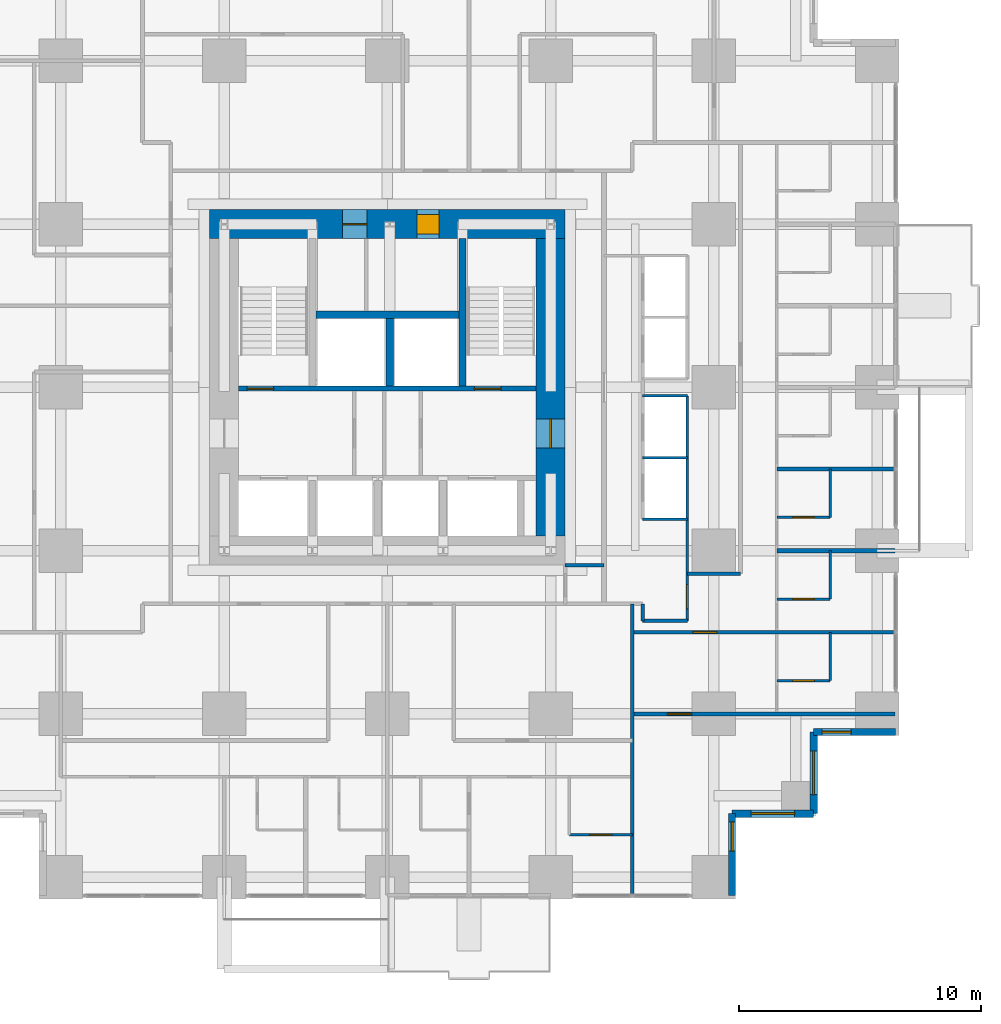
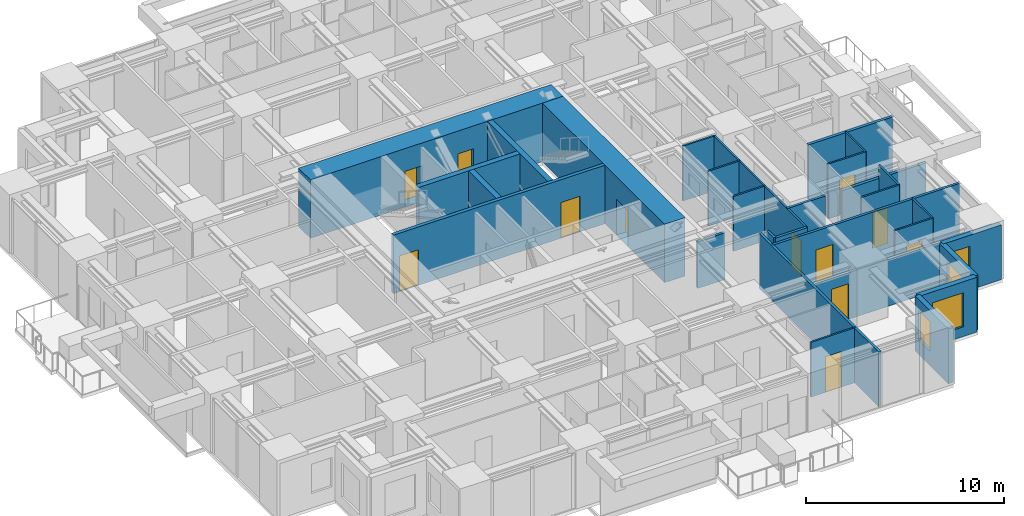
# One storey, part 10 of 14: 30 walls, 12 doors, 4 windows, 16 openings.
"""IFC4 building model written with IfcOpenShell, lengths in metres."""

from ifc_helpers import new_model, si_unit, direction, frame, frame_2d, origin, place, context, subcontext, project, spatial, rectangle, extrude, material, layer, layer_set, type_object, element, fill, save


model = new_model("IFC4")

# Units and contexts
model_context = context("Model", 3, precision=1e-05, world=origin(), true_north=direction((0.0, 1.0)))
body_context = subcontext(model_context, "Body", "Model", "MODEL_VIEW")
ifc_project = project(units=[si_unit("LENGTHUNIT", "METRE"), si_unit("AREAUNIT", "SQUARE_METRE"), si_unit("VOLUMEUNIT", "CUBIC_METRE"), si_unit("PLANEANGLEUNIT", "RADIAN"), si_unit("MASSUNIT", "GRAM", prefix="KILO")], contexts=[model_context])

# Site, building, storey
site_placement = place(None, origin())
site = spatial("IfcSite", under=ifc_project, at=site_placement, CompositionType="ELEMENT")
building_placement = place(site_placement, origin())
building = spatial("IfcBuilding", under=site, at=building_placement, Name="Nyansa Garden Tower", CompositionType="ELEMENT")
storey_placement = place(building_placement, frame((0.0, 0.0, 57.60009765625)))
storey = spatial("IfcBuildingStorey", under=building, at=storey_placement, Name="L15", CompositionType="ELEMENT", Elevation=57.60009765625)

# Walls
ifc_material_1 = material(Name="Dense blockwork, plastered both sides, 55 dB", Category="masonry")
ifc_layer_1 = layer(ifc_material_1, 0.175048828125)
ifc_layer_set_1 = layer_set([ifc_layer_1], Name="Acoustic party wall PW175")
wall_type_1 = type_object("IfcWallType", Name="Acoustic party wall PW175", PredefinedType="PARTITIONING", material=ifc_layer_set_1)
wall_1_placement = place(storey_placement, frame((36.35009765625, 13.5, 0.0), z_axis=(0.0, 0.0, 1.0), x_axis=(1.0, 0.0, 0.0)))
element("IfcWall", 1, at=wall_1_placement, inside=storey, type_object=wall_type_1, Name="Party wall", PredefinedType="PARTITIONING", context=body_context, shape_type="SweptSolid", body=[
    extrude(rectangle(XDim=4.8837890625, YDim=0.175048828125, at=frame_2d((2.44189453125, 0.0))), origin(), (0.0, 0.0, 1.0), 2.60986328125),
])
wall_2_placement = place(storey_placement, frame((36.35009765625, 16.875, 0.0), z_axis=(0.0, 0.0, 1.0), x_axis=(1.0, 0.0, 0.0)))
element("IfcWall", 2, at=wall_2_placement, inside=storey, type_object=wall_type_1, Name="Party wall", PredefinedType="PARTITIONING", context=body_context, shape_type="SweptSolid", body=[
    extrude(rectangle(XDim=4.8837890625, YDim=0.175048828125, at=frame_2d((2.44189453125, 0.0))), origin(), (0.0, 0.0, 1.0), 3.375),
])

# Wall, openings, doors
ifc_material_2 = material(Name="Concrete C70/85", Category="concrete")
ifc_layer_2 = layer(ifc_material_2, 0.199951171875)
ifc_layer_set_2 = layer_set([ifc_layer_2], Name="Core inner wall CI200")
wall_type_2 = type_object("IfcWallType", Name="Core inner wall CI200", PredefinedType="SHEAR", material=ifc_layer_set_2)
wall_3_placement = place(storey_placement, frame((14.10009765625, 20.199951171875, 0.0), z_axis=(0.0, 0.0, 1.0), x_axis=(1.0, 0.0, 0.0)))
wall_3 = element("IfcWall", 3, at=wall_3_placement, inside=storey, type_object=wall_type_2, Name="Core inner wall L15", PredefinedType="SHEAR", context=body_context, shape_type="SweptSolid", body=[
    extrude(rectangle(XDim=12.2998046875, YDim=0.199951171875, at=frame_2d((6.14990234375, 0.0))), origin(), (0.0, 0.0, 1.0), 3.599853515625),
])
opening_1_placement = place(wall_3_placement, frame((0.35009765625, 0.0, 0.0)))
opening_1 = element("IfcOpeningElement", 4, at=opening_1_placement, cuts=wall_3, Name="Opening D05", PredefinedType="OPENING", context=body_context, shape_type="SweptSolid", body=[
    extrude(rectangle(XDim=1.10009765625, YDim=2.199951171875, at=frame_2d((0.550048828125, 1.10009765625))), frame((0.0, 0.10986328125, 0.0), z_axis=(0.0, -1.0, 0.0), x_axis=(1.0, 0.0, 0.0)), (0.0, 0.0, 1.0), 0.219970703125),
])
opening_2_placement = place(wall_3_placement, frame((9.75, 0.0, 0.0)))
opening_2 = element("IfcOpeningElement", 5, at=opening_2_placement, cuts=wall_3, Name="Opening D05", PredefinedType="OPENING", context=body_context, shape_type="SweptSolid", body=[
    extrude(rectangle(XDim=1.10009765625, YDim=2.199951171875, at=frame_2d((0.550048828125, 1.10009765625))), frame((0.0, 0.10986328125, 0.0), z_axis=(0.0, -1.0, 0.0), x_axis=(1.0, 0.0, 0.0)), (0.0, 0.0, 1.0), 0.219970703125),
])
ifc_material_3 = material(Name="Steel door, 120 minute fire resisting", Category="steel")
door_type_1 = type_object("IfcDoorType", Name="Stair door D05 1100x2200", OperationType="SINGLE_SWING_LEFT", PredefinedType="DOOR", material=ifc_material_3)
door_1_placement = place(opening_1_placement, origin())
door_1 = element("IfcDoor", 6, at=door_1_placement, inside=storey, type_object=door_type_1, Name="Stair S1 door", OperationType="SINGLE_SWING_LEFT", OverallHeight=2.199951171875, OverallWidth=1.10009765625, PredefinedType="DOOR", context=body_context, shape_type="SweptSolid", body=[
    extrude(rectangle(XDim=1.10009765625, YDim=2.199951171875, at=frame_2d((0.550048828125, 1.10009765625))), frame((0.0, 0.02490234375, 0.0), z_axis=(0.0, -1.0, 0.0), x_axis=(1.0, 0.0, 0.0)), (0.0, 0.0, 1.0), 0.050048828125),
])
fill(opening_1, door_1)
door_2_placement = place(opening_2_placement, origin())
door_2 = element("IfcDoor", 7, at=door_2_placement, inside=storey, type_object=door_type_1, Name="Stair S2 door", OperationType="SINGLE_SWING_LEFT", OverallHeight=2.199951171875, OverallWidth=1.10009765625, PredefinedType="DOOR", context=body_context, shape_type="SweptSolid", body=[
    extrude(rectangle(XDim=1.10009765625, YDim=2.199951171875, at=frame_2d((0.550048828125, 1.10009765625))), frame((0.0, 0.02490234375, 0.0), z_axis=(0.0, -1.0, 0.0), x_axis=(1.0, 0.0, 0.0)), (0.0, 0.0, 1.0), 0.050048828125),
])
fill(opening_2, door_2)

# Walls
ifc_material_4 = material(Name="Concrete C70/85", Category="concrete")
ifc_layer_3 = layer(ifc_material_4, 0.300048828125)
ifc_layer_set_3 = layer_set([ifc_layer_3], Name="Core inner wall CI300")
wall_type_3 = type_object("IfcWallType", Name="Core inner wall CI300", PredefinedType="SHEAR", material=ifc_layer_set_3)
wall_4_placement = place(storey_placement, frame((23.35009765625, 20.300048828125, 0.0), z_axis=(0.0, 0.0, 1.0), x_axis=(0.0, 1.0, 0.0)))
element("IfcWall", 8, at=wall_4_placement, inside=storey, type_object=wall_type_3, Name="Core inner wall L15", PredefinedType="SHEAR", context=body_context, shape_type="SweptSolid", body=[
    extrude(rectangle(XDim=6.099853515625, YDim=0.300048828125, at=frame_2d((3.0498046875, 0.0))), origin(), (0.0, 0.0, 1.0), 3.599853515625),
])
wall_5_placement = place(storey_placement, frame((20.35009765625, 20.300048828125, 0.0), z_axis=(0.0, 0.0, 1.0), x_axis=(0.0, 1.0, 0.0)))
element("IfcWall", 9, at=wall_5_placement, inside=storey, type_object=wall_type_3, Name="Core inner wall L15", PredefinedType="SHEAR", context=body_context, shape_type="SweptSolid", body=[
    extrude(rectangle(XDim=2.800048828125, YDim=0.300048828125, at=frame_2d((1.39990234375, 0.0))), origin(), (0.0, 0.0, 1.0), 3.599853515625),
])
wall_6_placement = place(storey_placement, frame((17.300048828125, 23.25, 0.0), z_axis=(0.0, 0.0, 1.0), x_axis=(1.0, 0.0, 0.0)))
element("IfcWall", 10, at=wall_6_placement, inside=storey, type_object=wall_type_3, Name="Core inner wall L15", PredefinedType="SHEAR", context=body_context, shape_type="SweptSolid", body=[
    extrude(rectangle(XDim=5.89990234375, YDim=0.300048828125, at=frame_2d((2.949951171875, 0.0))), origin(), (0.0, 0.0, 1.0), 3.599853515625),
])

# Wall, opening, door
ifc_material_5 = material(Name="Concrete C80/95", Category="concrete")
ifc_layer_4 = layer(ifc_material_5, 1.199951171875)
ifc_layer_set_4 = layer_set([ifc_layer_4], Name="Core wall CW1200")
wall_type_4 = type_object("IfcWallType", Name="Core wall CW1200", PredefinedType="SHEAR", material=ifc_layer_set_4)
wall_7_placement = place(storey_placement, frame((27.0, 14.10009765625, 0.0), z_axis=(0.0, 0.0, 1.0), x_axis=(0.0, 1.0, 0.0)))
wall_7 = element("IfcWall", 11, at=wall_7_placement, inside=storey, type_object=wall_type_4, Name="Core wall E L15", PredefinedType="SHEAR", context=body_context, shape_type="SweptSolid", body=[
    extrude(rectangle(XDim=12.2998046875, YDim=1.199951171875, at=frame_2d((6.14990234375, 0.0))), origin(), (0.0, 0.0, 1.0), 3.599853515625),
])
opening_3_placement = place(wall_7_placement, frame((3.64990234375, 0.0, 0.0)))
opening_3 = element("IfcOpeningElement", 12, at=opening_3_placement, cuts=wall_7, Name="Opening D06", PredefinedType="OPENING", context=body_context, shape_type="SweptSolid", body=[
    extrude(rectangle(XDim=1.199951171875, YDim=2.199951171875, at=frame_2d((0.60009765625, 1.10009765625))), frame((0.0, 0.60986328125, 0.0), z_axis=(0.0, -1.0, 0.0), x_axis=(1.0, 0.0, 0.0)), (0.0, 0.0, 1.0), 1.219970703125),
])
ifc_material_6 = material(Name="Steel door, 120 minute fire resisting", Category="steel")
door_type_2 = type_object("IfcDoorType", Name="Lobby door D06 1200x2200", OperationType="DOUBLE_DOOR_SINGLE_SWING", PredefinedType="DOOR", material=ifc_material_6)
door_3_placement = place(opening_3_placement, origin())
door_3 = element("IfcDoor", 13, at=door_3_placement, inside=storey, type_object=door_type_2, Name="Lift lobby door east", OperationType="DOUBLE_DOOR_SINGLE_SWING", OverallHeight=2.199951171875, OverallWidth=1.199951171875, PredefinedType="DOOR", context=body_context, shape_type="SweptSolid", body=[
    extrude(rectangle(XDim=1.199951171875, YDim=2.199951171875, at=frame_2d((0.60009765625, 1.10009765625))), frame((0.0, 0.02490234375, 0.0), z_axis=(0.0, -1.0, 0.0), x_axis=(1.0, 0.0, 0.0)), (0.0, 0.0, 1.0), 0.050048828125),
])
fill(opening_3, door_3)

# Wall, openings, doors
wall_8_placement = place(storey_placement, frame((27.60009765625, 27.0, 0.0), z_axis=(0.0, 0.0, 1.0), x_axis=(-1.0, 0.0, 0.0)))
wall_8 = element("IfcWall", 14, at=wall_8_placement, inside=storey, type_object=wall_type_4, Name="Core wall N L15", PredefinedType="SHEAR", context=body_context, shape_type="SweptSolid", body=[
    extrude(rectangle(XDim=14.7001953125, YDim=1.199951171875, at=frame_2d((7.35009765625, 0.0))), origin(), (0.0, 0.0, 1.0), 3.599853515625),
])
opening_4_placement = place(wall_8_placement, frame((5.22509765625, 0.0, 0.0)))
opening_4 = element("IfcOpeningElement", 15, at=opening_4_placement, cuts=wall_8, Name="Opening D15", PredefinedType="OPENING", context=body_context, shape_type="SweptSolid", body=[
    extrude(rectangle(XDim=0.89990234375, YDim=2.199951171875, at=frame_2d((0.449951171875, 1.10009765625))), frame((0.0, 0.60986328125, 0.0), z_axis=(0.0, -1.0, 0.0), x_axis=(1.0, 0.0, 0.0)), (0.0, 0.0, 1.0), 1.219970703125),
])
opening_5_placement = place(wall_8_placement, frame((8.199951171875, 0.0, 0.0)))
opening_5 = element("IfcOpeningElement", 16, at=opening_5_placement, cuts=wall_8, Name="Opening D07", PredefinedType="OPENING", context=body_context, shape_type="SweptSolid", body=[
    extrude(rectangle(XDim=1.0, YDim=2.199951171875, at=frame_2d((0.5, 1.10009765625))), frame((0.0, 0.60986328125, 0.0), z_axis=(0.0, -1.0, 0.0), x_axis=(1.0, 0.0, 0.0)), (0.0, 0.0, 1.0), 1.219970703125),
])
ifc_material_7 = material(Name="Timber flush door, 60 minute fire resisting, self-closing", Category="wood")
door_type_3 = type_object("IfcDoorType", Name="Core room door D15 900x2200", OperationType="SINGLE_SWING_LEFT", PredefinedType="DOOR", material=ifc_material_7)
door_4_placement = place(opening_4_placement, origin())
door_4 = element("IfcDoor", 17, at=door_4_placement, inside=storey, type_object=door_type_3, Name="Core room door", OperationType="SINGLE_SWING_LEFT", OverallHeight=2.199951171875, OverallWidth=0.89990234375, PredefinedType="DOOR", context=body_context, shape_type="SweptSolid", body=[
    extrude(rectangle(XDim=0.89990234375, YDim=2.199951171875, at=frame_2d((0.449951171875, 1.10009765625))), frame((0.0, 0.39990234375, 0.0), z_axis=(0.0, -1.0, 0.0), x_axis=(1.0, 0.0, 0.0)), (0.0, 0.0, 1.0), 0.800048828125),
])
fill(opening_4, door_4)
ifc_material_8 = material(Name="Steel door, 120 minute fire resisting", Category="steel")
door_type_4 = type_object("IfcDoorType", Name="Riser door D07 1000x2200", OperationType="SINGLE_SWING_LEFT", PredefinedType="DOOR", material=ifc_material_8)
door_5_placement = place(opening_5_placement, origin())
door_5 = element("IfcDoor", 18, at=door_5_placement, inside=storey, type_object=door_type_4, Name="Riser and refuse room door", OperationType="SINGLE_SWING_LEFT", OverallHeight=2.199951171875, OverallWidth=1.0, PredefinedType="DOOR", context=body_context, shape_type="SweptSolid", body=[
    extrude(rectangle(XDim=1.0, YDim=2.199951171875, at=frame_2d((0.5, 1.10009765625))), frame((0.0, 0.02490234375, 0.0), z_axis=(0.0, -1.0, 0.0), x_axis=(1.0, 0.0, 0.0)), (0.0, 0.0, 1.0), 0.050048828125),
])
fill(opening_5, door_5)

# Walls
ifc_material_9 = material(Name="Steel-stud shaft wall, two layers fire-rated board, EI 120", Category="steel")
ifc_layer_5 = layer(ifc_material_9, 0.10009765625)
ifc_layer_set_5 = layer_set([ifc_layer_5], Name="Lift shaft wall SW100")
wall_type_5 = type_object("IfcWallType", Name="Lift shaft wall SW100", PredefinedType="SHEAR", material=ifc_layer_set_5)
for number, where, z_axis, x_axis, name in (
    (19, (30.800048828125, 14.800048828125, 0.0), (0.0, 0.0, 1.0), (1.0, 0.0, 0.0), "Lift shaft wall"),
    (20, (30.800048828125, 17.35009765625, 0.0), (0.0, 0.0, 1.0), (1.0, 0.0, 0.0), "Lift shaft wall"),
    (21, (30.800048828125, 19.89990234375, 0.0), (0.0, 0.0, 1.0), (1.0, 0.0, 0.0), "Lift shaft wall"),
):
    element("IfcWall", number, at=place(storey_placement, frame(where, z_axis=z_axis, x_axis=x_axis)), inside=storey, type_object=wall_type_5, Name=name, PredefinedType="SHEAR", context=body_context, shape_type="SweptSolid", body=[
        extrude(rectangle(XDim=1.849853515625, YDim=0.10009765625, at=frame_2d((0.9248046875, 0.0))), origin(), (0.0, 0.0, 1.0), 3.375),
    ])

# Wall, opening, door
wall_9_placement = place(storey_placement, frame((32.64990234375, 10.60009765625, 0.0), z_axis=(0.0, 0.0, 1.0), x_axis=(0.0, 1.0, 0.0)))
wall_9 = element("IfcWall", 22, at=wall_9_placement, inside=storey, type_object=wall_type_5, Name="Lift shaft wall", PredefinedType="SHEAR", context=body_context, shape_type="SweptSolid", body=[
    extrude(rectangle(XDim=9.2998046875, YDim=0.10009765625, at=frame_2d((4.64990234375, 0.0))), origin(), (0.0, 0.0, 1.0), 3.375),
])
opening_6_placement = place(wall_9_placement, frame((0.5, 0.0, 0.0)))
opening_6 = element("IfcOpeningElement", 23, at=opening_6_placement, cuts=wall_9, Name="Opening D03", PredefinedType="OPENING", context=body_context, shape_type="SweptSolid", body=[
    extrude(rectangle(XDim=1.0, YDim=2.199951171875, at=frame_2d((0.5, 1.10009765625))), frame((0.0, 0.06005859375, 0.0), z_axis=(0.0, -1.0, 0.0), x_axis=(1.0, 0.0, 0.0)), (0.0, 0.0, 1.0), 0.1201171875),
])
ifc_material_10 = material(Name="Timber flush door, 60 minute fire resisting", Category="wood")
door_type_5 = type_object("IfcDoorType", Name="Cluster entrance door D03 1000x2200", OperationType="SINGLE_SWING_LEFT", PredefinedType="DOOR", material=ifc_material_10)
door_6_placement = place(opening_6_placement, origin())
door_6 = element("IfcDoor", 24, at=door_6_placement, inside=storey, type_object=door_type_5, Name="Door L15-047", OperationType="SINGLE_SWING_LEFT", OverallHeight=2.199951171875, OverallWidth=1.0, PredefinedType="DOOR", context=body_context, shape_type="SweptSolid", body=[
    extrude(rectangle(XDim=1.0, YDim=2.199951171875, at=frame_2d((0.5, 1.10009765625))), frame((0.0, 0.02490234375, 0.0), z_axis=(0.0, -1.0, 0.0), x_axis=(1.0, 0.0, 0.0)), (0.0, 0.0, 1.0), 0.050048828125),
])
fill(opening_6, door_6)

# Walls
ifc_material_11 = material(Name="Blockwork, plastered both sides", Category="masonry")
ifc_layer_6 = layer(ifc_material_11, 0.14990234375)
ifc_layer_set_6 = layer_set([ifc_layer_6], Name="Partition PW150")
wall_type_6 = type_object("IfcWallType", Name="Partition PW150", PredefinedType="PARTITIONING", material=ifc_layer_set_6)
wall_10_placement = place(storey_placement, frame((27.60009765625, 12.89990234375, 0.0), z_axis=(0.0, 0.0, 1.0), x_axis=(1.0, 0.0, 0.0)))
element("IfcWall", 25, at=wall_10_placement, inside=storey, type_object=wall_type_6, Name="Partition", PredefinedType="PARTITIONING", context=body_context, shape_type="SweptSolid", body=[
    extrude(rectangle(XDim=1.599853515625, YDim=0.14990234375, at=frame_2d((0.7998046875, 0.0))), origin(), (0.0, 0.0, 1.0), 2.876953125),
])
wall_11_placement = place(storey_placement, frame((30.375, -0.73388671875, 0.0), z_axis=(0.0, 0.0, 1.0), x_axis=(0.0, 1.0, 0.0)))
element("IfcWall", 26, at=wall_11_placement, inside=storey, type_object=wall_type_6, Name="Partition", PredefinedType="PARTITIONING", context=body_context, shape_type="SweptSolid", body=[
    extrude(rectangle(XDim=12.033935546875, YDim=0.14990234375, at=frame_2d((6.01708984375, 0.0))), origin(), (0.0, 0.0, 1.0), 3.375),
])

# Wall, opening, door
wall_12_placement = place(storey_placement, frame((30.375, 6.75, 0.0), z_axis=(0.0, 0.0, 1.0), x_axis=(1.0, 0.0, 0.0)))
wall_12 = element("IfcWall", 27, at=wall_12_placement, inside=storey, type_object=wall_type_6, Name="Partition", PredefinedType="PARTITIONING", context=body_context, shape_type="SweptSolid", body=[
    extrude(rectangle(XDim=10.85888671875, YDim=0.14990234375, at=frame_2d((5.429443359375, 0.0))), origin(), (0.0, 0.0, 1.0), 2.876953125),
])
opening_7_placement = place(wall_12_placement, frame((1.449951171875, 0.0, 0.0)))
opening_7 = element("IfcOpeningElement", 28, at=opening_7_placement, cuts=wall_12, Name="Opening D03", PredefinedType="OPENING", context=body_context, shape_type="SweptSolid", body=[
    extrude(rectangle(XDim=1.0, YDim=2.199951171875, at=frame_2d((0.5, 1.10009765625))), frame((0.0, 0.0849609375, 0.0), z_axis=(0.0, -1.0, 0.0), x_axis=(1.0, 0.0, 0.0)), (0.0, 0.0, 1.0), 0.169921875),
])
door_7_placement = place(opening_7_placement, origin())
door_7 = element("IfcDoor", 29, at=door_7_placement, inside=storey, type_object=door_type_5, Name="Door L15-031", OperationType="SINGLE_SWING_LEFT", OverallHeight=2.199951171875, OverallWidth=1.0, PredefinedType="DOOR", context=body_context, shape_type="SweptSolid", body=[
    extrude(rectangle(XDim=1.0, YDim=2.199951171875, at=frame_2d((0.5, 1.10009765625))), frame((0.0, 0.02490234375, 0.0), z_axis=(0.0, -1.0, 0.0), x_axis=(1.0, 0.0, 0.0)), (0.0, 0.0, 1.0), 0.050048828125),
])
fill(opening_7, door_7)

wall_13_placement = place(storey_placement, frame((30.375, 10.125, 0.0), z_axis=(0.0, 0.0, 1.0), x_axis=(1.0, 0.0, 0.0)))
wall_13 = element("IfcWall", 30, at=wall_13_placement, inside=storey, type_object=wall_type_6, Name="Partition", PredefinedType="PARTITIONING", context=body_context, shape_type="SweptSolid", body=[
    extrude(rectangle(XDim=10.85888671875, YDim=0.14990234375, at=frame_2d((5.429443359375, 0.0))), origin(), (0.0, 0.0, 1.0), 3.375),
])
opening_8_placement = place(wall_13_placement, frame((2.5, 0.0, 0.0)))
opening_8 = element("IfcOpeningElement", 31, at=opening_8_placement, cuts=wall_13, Name="Opening D03", PredefinedType="OPENING", context=body_context, shape_type="SweptSolid", body=[
    extrude(rectangle(XDim=1.0, YDim=2.199951171875, at=frame_2d((0.5, 1.10009765625))), frame((0.0, 0.0849609375, 0.0), z_axis=(0.0, -1.0, 0.0), x_axis=(1.0, 0.0, 0.0)), (0.0, 0.0, 1.0), 0.169921875),
])
door_8_placement = place(opening_8_placement, origin())
door_8 = element("IfcDoor", 32, at=door_8_placement, inside=storey, type_object=door_type_5, Name="Door L15-034", OperationType="SINGLE_SWING_LEFT", OverallHeight=2.199951171875, OverallWidth=1.0, PredefinedType="DOOR", context=body_context, shape_type="SweptSolid", body=[
    extrude(rectangle(XDim=1.0, YDim=2.199951171875, at=frame_2d((0.5, 1.10009765625))), frame((0.0, 0.02490234375, 0.0), z_axis=(0.0, -1.0, 0.0), x_axis=(1.0, 0.0, 0.0)), (0.0, 0.0, 1.0), 0.050048828125),
])
fill(opening_8, door_8)

# Walls
wall_14_placement = place(storey_placement, frame((30.800048828125, 10.60009765625, 0.0), z_axis=(0.0, 0.0, 1.0), x_axis=(0.0, 1.0, 0.0)))
element("IfcWall", 33, at=wall_14_placement, inside=storey, type_object=wall_type_6, Name="Partition", PredefinedType="PARTITIONING", context=body_context, shape_type="SweptSolid", body=[
    extrude(rectangle(XDim=0.699951171875, YDim=0.14990234375, at=frame_2d((0.35009765625, 0.0))), origin(), (0.0, 0.0, 1.0), 3.375),
])
wall_15_placement = place(storey_placement, frame((30.800048828125, 10.60009765625, 0.0), z_axis=(0.0, 0.0, 1.0), x_axis=(1.0, 0.0, 0.0)))
element("IfcWall", 34, at=wall_15_placement, inside=storey, type_object=wall_type_6, Name="Partition", PredefinedType="PARTITIONING", context=body_context, shape_type="SweptSolid", body=[
    extrude(rectangle(XDim=1.849853515625, YDim=0.14990234375, at=frame_2d((0.9248046875, 0.0))), origin(), (0.0, 0.0, 1.0), 3.375),
])
wall_16_placement = place(storey_placement, frame((32.64990234375, 12.550048828125, 0.0), z_axis=(0.0, 0.0, 1.0), x_axis=(1.0, 0.0, 0.0)))
element("IfcWall", 35, at=wall_16_placement, inside=storey, type_object=wall_type_6, Name="Partition", PredefinedType="PARTITIONING", context=body_context, shape_type="SweptSolid", body=[
    extrude(rectangle(XDim=2.2001953125, YDim=0.14990234375, at=frame_2d((1.10009765625, 0.0))), origin(), (0.0, 0.0, 1.0), 3.375),
])

# Wall, opening, window
ifc_material_12 = material(Name="Turquoise glazed tile on concrete blockwork", Category="masonry")
ifc_layer_7 = layer(ifc_material_12, 0.300048828125)
ifc_layer_set_7 = layer_set([ifc_layer_7], Name="Tiled corner wall TW300")
wall_type_7 = type_object("IfcWallType", Name="Tiled corner wall TW300", PredefinedType="SOLIDWALL", material=ifc_layer_set_7)
wall_17_placement = place(storey_placement, frame((34.5, -0.75, 0.0), z_axis=(0.0, 0.0, 1.0), x_axis=(0.0, 1.0, 0.0)))
wall_17 = element("IfcWall", 36, at=wall_17_placement, inside=storey, type_object=wall_type_7, Name="Tiled corner wall L15", PredefinedType="SOLIDWALL", context=body_context, shape_type="SweptSolid", body=[
    extrude(rectangle(XDim=3.375, YDim=0.300048828125, at=frame_2d((1.6875, 0.0))), origin(), (0.0, 0.0, 1.0), 3.375),
])
opening_9_placement = place(wall_17_placement, frame((1.83251953125, 0.0, 0.89990234375)))
opening_9 = element("IfcOpeningElement", 37, at=opening_9_placement, cuts=wall_17, Name="Opening W4", PredefinedType="OPENING", context=body_context, shape_type="SweptSolid", body=[
    extrude(rectangle(XDim=1.199951171875, YDim=1.800048828125, at=frame_2d((0.60009765625, 0.89990234375))), frame((0.0, 0.159912109375, 0.0), z_axis=(0.0, -1.0, 0.0), x_axis=(1.0, 0.0, 0.0)), (0.0, 0.0, 1.0), 0.320068359375),
])
ifc_material_13 = material(Name="Black aluminium frame, dark tinted double glazing", Category="aluminium")
window_type_1 = type_object("IfcWindowType", Name="Window W4 1200x1800", PartitioningType="SINGLE_PANEL", PredefinedType="WINDOW", material=ifc_material_13)
window_1_placement = place(opening_9_placement, origin())
window_1 = element("IfcWindow", 38, at=window_1_placement, inside=storey, type_object=window_type_1, Name="Corner window L15", OverallHeight=1.800048828125, OverallWidth=1.199951171875, PartitioningType="SINGLE_PANEL", PredefinedType="WINDOW", context=body_context, shape_type="SweptSolid", body=[
    extrude(rectangle(XDim=1.199951171875, YDim=1.800048828125, at=frame_2d((0.60009765625, 0.89990234375))), frame((0.0, 0.030029296875, 0.0), z_axis=(0.0, -1.0, 0.0), x_axis=(1.0, 0.0, 0.0)), (0.0, 0.0, 1.0), 0.06005859375),
])
fill(opening_9, window_1)

wall_18_placement = place(storey_placement, frame((34.5, 2.625, 0.0), z_axis=(0.0, 0.0, 1.0), x_axis=(1.0, 0.0, 0.0)))
wall_18 = element("IfcWall", 39, at=wall_18_placement, inside=storey, type_object=wall_type_7, Name="Tiled corner wall L15", PredefinedType="SOLIDWALL", context=body_context, shape_type="SweptSolid", body=[
    extrude(rectangle(XDim=3.375, YDim=0.300048828125, at=frame_2d((1.6875, 0.0))), origin(), (0.0, 0.0, 1.0), 3.375),
])
opening_10_placement = place(wall_18_placement, frame((0.78759765625, 0.0, 0.60009765625)))
opening_10 = element("IfcOpeningElement", 40, at=opening_10_placement, cuts=wall_18, Name="Opening W2", PredefinedType="OPENING", context=body_context, shape_type="SweptSolid", body=[
    extrude(rectangle(XDim=1.800048828125, YDim=2.10009765625, at=frame_2d((0.89990234375, 1.050048828125))), frame((0.0, 0.159912109375, 0.0), z_axis=(0.0, -1.0, 0.0), x_axis=(1.0, 0.0, 0.0)), (0.0, 0.0, 1.0), 0.320068359375),
])
ifc_material_14 = material(Name="Black aluminium frame, dark tinted double glazing", Category="aluminium")
window_type_2 = type_object("IfcWindowType", Name="Window W2 1800x2100", PartitioningType="SINGLE_PANEL", PredefinedType="WINDOW", material=ifc_material_14)
window_2_placement = place(opening_10_placement, origin())
window_2 = element("IfcWindow", 41, at=window_2_placement, inside=storey, type_object=window_type_2, Name="Corner window L15", OverallHeight=2.10009765625, OverallWidth=1.800048828125, PartitioningType="SINGLE_PANEL", PredefinedType="WINDOW", context=body_context, shape_type="SweptSolid", body=[
    extrude(rectangle(XDim=1.800048828125, YDim=2.10009765625, at=frame_2d((0.89990234375, 1.050048828125))), frame((0.0, 0.030029296875, 0.0), z_axis=(0.0, -1.0, 0.0), x_axis=(1.0, 0.0, 0.0)), (0.0, 0.0, 1.0), 0.06005859375),
])
fill(opening_10, window_2)

wall_19_placement = place(storey_placement, frame((37.875, 2.625, 0.0), z_axis=(0.0, 0.0, 1.0), x_axis=(0.0, 1.0, 0.0)))
wall_19 = element("IfcWall", 42, at=wall_19_placement, inside=storey, type_object=wall_type_7, Name="Tiled corner wall L15", PredefinedType="SOLIDWALL", context=body_context, shape_type="SweptSolid", body=[
    extrude(rectangle(XDim=3.375, YDim=0.300048828125, at=frame_2d((1.6875, 0.0))), origin(), (0.0, 0.0, 1.0), 3.375),
])
opening_11_placement = place(wall_19_placement, frame((0.78759765625, 0.0, 0.60009765625)))
opening_11 = element("IfcOpeningElement", 43, at=opening_11_placement, cuts=wall_19, Name="Opening W2", PredefinedType="OPENING", context=body_context, shape_type="SweptSolid", body=[
    extrude(rectangle(XDim=1.800048828125, YDim=2.10009765625, at=frame_2d((0.89990234375, 1.050048828125))), frame((0.0, 0.159912109375, 0.0), z_axis=(0.0, -1.0, 0.0), x_axis=(1.0, 0.0, 0.0)), (0.0, 0.0, 1.0), 0.320068359375),
])
window_3_placement = place(opening_11_placement, origin())
window_3 = element("IfcWindow", 44, at=window_3_placement, inside=storey, type_object=window_type_2, Name="Corner window L15", OverallHeight=2.10009765625, OverallWidth=1.800048828125, PartitioningType="SINGLE_PANEL", PredefinedType="WINDOW", context=body_context, shape_type="SweptSolid", body=[
    extrude(rectangle(XDim=1.800048828125, YDim=2.10009765625, at=frame_2d((0.89990234375, 1.050048828125))), frame((0.0, 0.030029296875, 0.0), z_axis=(0.0, -1.0, 0.0), x_axis=(1.0, 0.0, 0.0)), (0.0, 0.0, 1.0), 0.06005859375),
])
fill(opening_11, window_3)

wall_20_placement = place(storey_placement, frame((37.875, 6.0, 0.0), z_axis=(0.0, 0.0, 1.0), x_axis=(1.0, 0.0, 0.0)))
wall_20 = element("IfcWall", 45, at=wall_20_placement, inside=storey, type_object=wall_type_7, Name="Tiled corner wall L15", PredefinedType="SOLIDWALL", context=body_context, shape_type="SweptSolid", body=[
    extrude(rectangle(XDim=3.375, YDim=0.300048828125, at=frame_2d((1.6875, 0.0))), origin(), (0.0, 0.0, 1.0), 3.375),
])
opening_12_placement = place(wall_20_placement, frame((0.342529296875, 0.0, 0.89990234375)))
opening_12 = element("IfcOpeningElement", 46, at=opening_12_placement, cuts=wall_20, Name="Opening W4", PredefinedType="OPENING", context=body_context, shape_type="SweptSolid", body=[
    extrude(rectangle(XDim=1.199951171875, YDim=1.800048828125, at=frame_2d((0.60009765625, 0.89990234375))), frame((0.0, 0.159912109375, 0.0), z_axis=(0.0, -1.0, 0.0), x_axis=(1.0, 0.0, 0.0)), (0.0, 0.0, 1.0), 0.320068359375),
])
window_4_placement = place(opening_12_placement, origin())
window_4 = element("IfcWindow", 47, at=window_4_placement, inside=storey, type_object=window_type_1, Name="Corner window L15", OverallHeight=1.800048828125, OverallWidth=1.199951171875, PartitioningType="SINGLE_PANEL", PredefinedType="WINDOW", context=body_context, shape_type="SweptSolid", body=[
    extrude(rectangle(XDim=1.199951171875, YDim=1.800048828125, at=frame_2d((0.60009765625, 0.89990234375))), frame((0.0, 0.030029296875, 0.0), z_axis=(0.0, -1.0, 0.0), x_axis=(1.0, 0.0, 0.0)), (0.0, 0.0, 1.0), 0.06005859375),
])
fill(opening_12, window_4)

# Wall, opening, door
ifc_material_15 = material(Name="Moisture resistant board on steel studs, tiled", Category="steel")
ifc_layer_8 = layer(ifc_material_15, 0.10009765625)
ifc_layer_set_8 = layer_set([ifc_layer_8], Name="Wet wall PW100")
wall_type_8 = type_object("IfcWallType", Name="Wet wall PW100", PredefinedType="PARTITIONING", material=ifc_layer_set_8)
wall_21_placement = place(storey_placement, frame((27.77490234375, 1.75, 0.0), z_axis=(0.0, 0.0, 1.0), x_axis=(1.0, 0.0, 0.0)))
wall_21 = element("IfcWall", 48, at=wall_21_placement, inside=storey, type_object=wall_type_8, Name="Wet wall", PredefinedType="PARTITIONING", context=body_context, shape_type="SweptSolid", body=[
    extrude(rectangle(XDim=2.60009765625, YDim=0.10009765625, at=frame_2d((1.300048828125, 0.0))), origin(), (0.0, 0.0, 1.0), 3.375),
])
opening_13_placement = place(wall_21_placement, frame((0.85009765625, 0.0, 0.0)))
opening_13 = element("IfcOpeningElement", 49, at=opening_13_placement, cuts=wall_21, Name="Opening D02", PredefinedType="OPENING", context=body_context, shape_type="SweptSolid", body=[
    extrude(rectangle(XDim=0.89990234375, YDim=2.199951171875, at=frame_2d((0.449951171875, 1.10009765625))), frame((0.0, 0.06005859375, 0.0), z_axis=(0.0, -1.0, 0.0), x_axis=(1.0, 0.0, 0.0)), (0.0, 0.0, 1.0), 0.1201171875),
])
ifc_material_16 = material(Name="Timber flush door", Category="wood")
door_type_6 = type_object("IfcDoorType", Name="En-suite door D02 900x2200", OperationType="SINGLE_SWING_RIGHT", PredefinedType="DOOR", material=ifc_material_16)
door_9_placement = place(opening_13_placement, origin())
door_9 = element("IfcDoor", 50, at=door_9_placement, inside=storey, type_object=door_type_6, Name="Door L15-025", OperationType="SINGLE_SWING_RIGHT", OverallHeight=2.199951171875, OverallWidth=0.89990234375, PredefinedType="DOOR", context=body_context, shape_type="SweptSolid", body=[
    extrude(rectangle(XDim=0.89990234375, YDim=2.199951171875, at=frame_2d((0.449951171875, 1.10009765625))), frame((0.0, 0.02490234375, 0.0), z_axis=(0.0, -1.0, 0.0), x_axis=(1.0, 0.0, 0.0)), (0.0, 0.0, 1.0), 0.050048828125),
])
fill(opening_13, door_9)

wall_22_placement = place(storey_placement, frame((36.35009765625, 8.125, 0.0), z_axis=(0.0, 0.0, 1.0), x_axis=(1.0, 0.0, 0.0)))
wall_22 = element("IfcWall", 51, at=wall_22_placement, inside=storey, type_object=wall_type_8, Name="Wet wall", PredefinedType="PARTITIONING", context=body_context, shape_type="SweptSolid", body=[
    extrude(rectangle(XDim=2.199951171875, YDim=0.10009765625, at=frame_2d((1.10009765625, 0.0))), origin(), (0.0, 0.0, 1.0), 3.375),
])
opening_14_placement = place(wall_22_placement, frame((0.64990234375, 0.0, 0.0)))
opening_14 = element("IfcOpeningElement", 52, at=opening_14_placement, cuts=wall_22, Name="Opening D02", PredefinedType="OPENING", context=body_context, shape_type="SweptSolid", body=[
    extrude(rectangle(XDim=0.89990234375, YDim=2.199951171875, at=frame_2d((0.449951171875, 1.10009765625))), frame((0.0, 0.06005859375, 0.0), z_axis=(0.0, -1.0, 0.0), x_axis=(1.0, 0.0, 0.0)), (0.0, 0.0, 1.0), 0.1201171875),
])
door_10_placement = place(opening_14_placement, origin())
door_10 = element("IfcDoor", 53, at=door_10_placement, inside=storey, type_object=door_type_6, Name="Door L15-033", OperationType="SINGLE_SWING_RIGHT", OverallHeight=2.199951171875, OverallWidth=0.89990234375, PredefinedType="DOOR", context=body_context, shape_type="SweptSolid", body=[
    extrude(rectangle(XDim=0.89990234375, YDim=2.199951171875, at=frame_2d((0.449951171875, 1.10009765625))), frame((0.0, 0.02490234375, 0.0), z_axis=(0.0, -1.0, 0.0), x_axis=(1.0, 0.0, 0.0)), (0.0, 0.0, 1.0), 0.050048828125),
])
fill(opening_14, door_10)

wall_23_placement = place(storey_placement, frame((36.35009765625, 11.5, 0.0), z_axis=(0.0, 0.0, 1.0), x_axis=(1.0, 0.0, 0.0)))
wall_23 = element("IfcWall", 54, at=wall_23_placement, inside=storey, type_object=wall_type_8, Name="Wet wall", PredefinedType="PARTITIONING", context=body_context, shape_type="SweptSolid", body=[
    extrude(rectangle(XDim=2.199951171875, YDim=0.10009765625, at=frame_2d((1.10009765625, 0.0))), origin(), (0.0, 0.0, 1.0), 3.375),
])
opening_15_placement = place(wall_23_placement, frame((0.64990234375, 0.0, 0.0)))
opening_15 = element("IfcOpeningElement", 55, at=opening_15_placement, cuts=wall_23, Name="Opening D02", PredefinedType="OPENING", context=body_context, shape_type="SweptSolid", body=[
    extrude(rectangle(XDim=0.89990234375, YDim=2.199951171875, at=frame_2d((0.449951171875, 1.10009765625))), frame((0.0, 0.06005859375, 0.0), z_axis=(0.0, -1.0, 0.0), x_axis=(1.0, 0.0, 0.0)), (0.0, 0.0, 1.0), 0.1201171875),
])
door_11_placement = place(opening_15_placement, origin())
door_11 = element("IfcDoor", 56, at=door_11_placement, inside=storey, type_object=door_type_6, Name="Door L15-036", OperationType="SINGLE_SWING_RIGHT", OverallHeight=2.199951171875, OverallWidth=0.89990234375, PredefinedType="DOOR", context=body_context, shape_type="SweptSolid", body=[
    extrude(rectangle(XDim=0.89990234375, YDim=2.199951171875, at=frame_2d((0.449951171875, 1.10009765625))), frame((0.0, 0.02490234375, 0.0), z_axis=(0.0, -1.0, 0.0), x_axis=(1.0, 0.0, 0.0)), (0.0, 0.0, 1.0), 0.050048828125),
])
fill(opening_15, door_11)

wall_24_placement = place(storey_placement, frame((36.35009765625, 14.875, 0.0), z_axis=(0.0, 0.0, 1.0), x_axis=(1.0, 0.0, 0.0)))
wall_24 = element("IfcWall", 57, at=wall_24_placement, inside=storey, type_object=wall_type_8, Name="Wet wall", PredefinedType="PARTITIONING", context=body_context, shape_type="SweptSolid", body=[
    extrude(rectangle(XDim=2.199951171875, YDim=0.10009765625, at=frame_2d((1.10009765625, 0.0))), origin(), (0.0, 0.0, 1.0), 3.375),
])
opening_16_placement = place(wall_24_placement, frame((0.64990234375, 0.0, 0.0)))
opening_16 = element("IfcOpeningElement", 58, at=opening_16_placement, cuts=wall_24, Name="Opening D02", PredefinedType="OPENING", context=body_context, shape_type="SweptSolid", body=[
    extrude(rectangle(XDim=0.89990234375, YDim=2.199951171875, at=frame_2d((0.449951171875, 1.10009765625))), frame((0.0, 0.06005859375, 0.0), z_axis=(0.0, -1.0, 0.0), x_axis=(1.0, 0.0, 0.0)), (0.0, 0.0, 1.0), 0.1201171875),
])
door_12_placement = place(opening_16_placement, origin())
door_12 = element("IfcDoor", 59, at=door_12_placement, inside=storey, type_object=door_type_6, Name="Door L15-038", OperationType="SINGLE_SWING_RIGHT", OverallHeight=2.199951171875, OverallWidth=0.89990234375, PredefinedType="DOOR", context=body_context, shape_type="SweptSolid", body=[
    extrude(rectangle(XDim=0.89990234375, YDim=2.199951171875, at=frame_2d((0.449951171875, 1.10009765625))), frame((0.0, 0.02490234375, 0.0), z_axis=(0.0, -1.0, 0.0), x_axis=(1.0, 0.0, 0.0)), (0.0, 0.0, 1.0), 0.050048828125),
])
fill(opening_16, door_12)

# Walls
for number, where, z_axis, x_axis, name in (
    (60, (38.550048828125, 8.125, 0.0), (0.0, 0.0, 1.0), (0.0, 1.0, 0.0), "Wet wall"),
    (61, (38.550048828125, 11.5, 0.0), (0.0, 0.0, 1.0), (0.0, 1.0, 0.0), "Wet wall"),
    (62, (38.550048828125, 14.875, 0.0), (0.0, 0.0, 1.0), (0.0, 1.0, 0.0), "Wet wall"),
):
    element("IfcWall", number, at=place(storey_placement, frame(where, z_axis=z_axis, x_axis=x_axis)), inside=storey, type_object=wall_type_8, Name=name, PredefinedType="PARTITIONING", context=body_context, shape_type="SweptSolid", body=[
        extrude(rectangle(XDim=2.0, YDim=0.10009765625, at=frame_2d((1.0, 0.0))), origin(), (0.0, 0.0, 1.0), 3.375),
    ])

save(model, "model.ifc")
